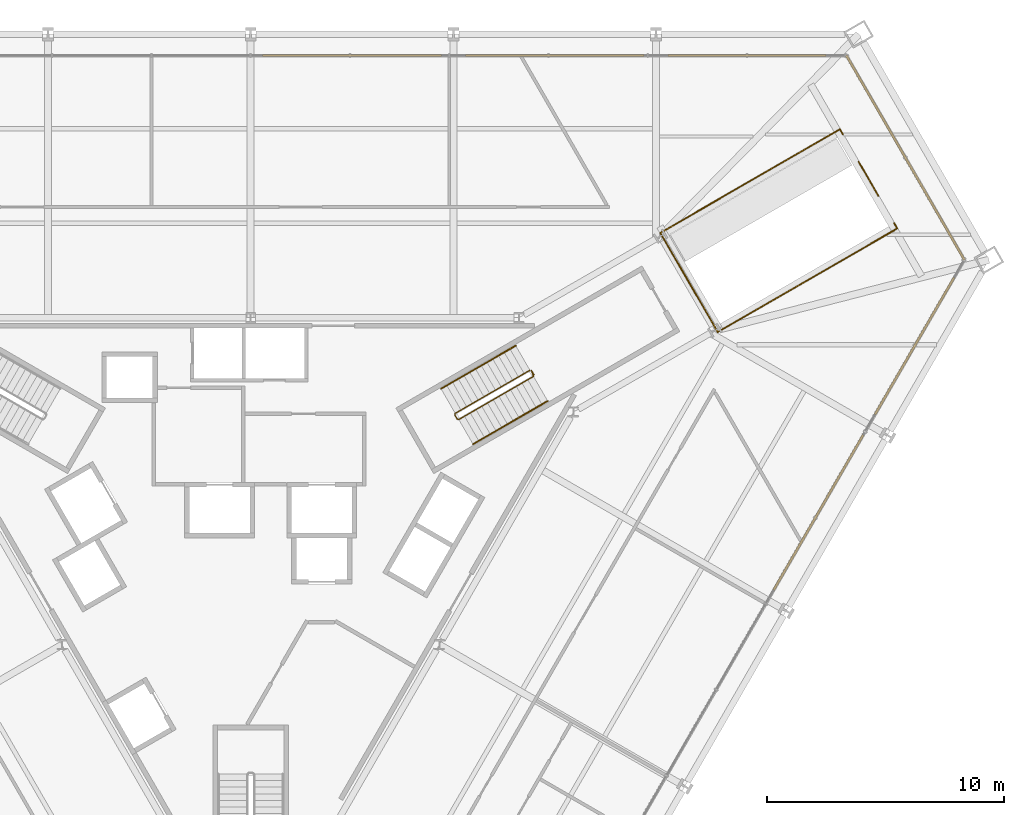
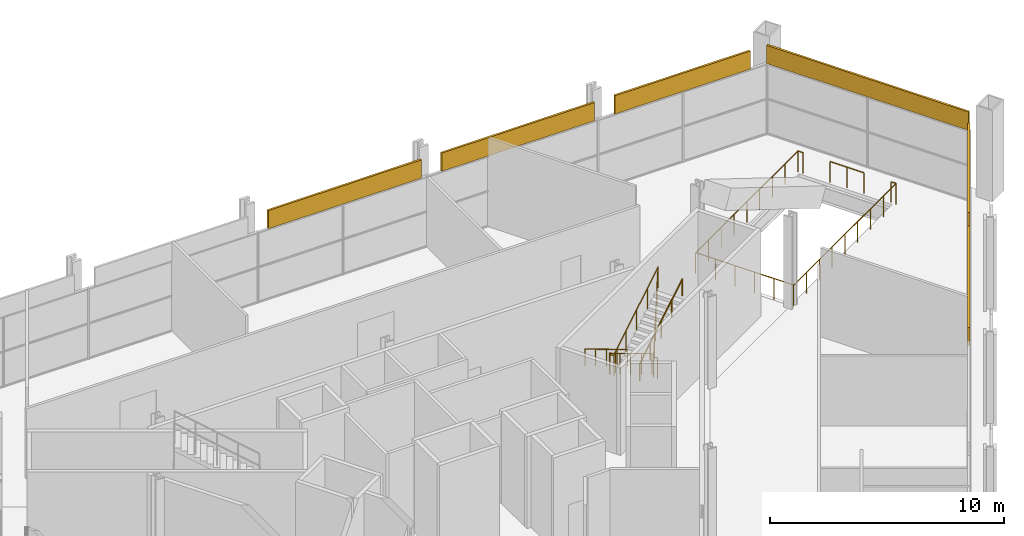
# One storey, part 17 of 18: 6 coverings, 6 railings.
"""IFC4 building model written with IfcOpenShell, lengths in metres."""

from ifc_helpers import new_model, si_unit, direction, frame, origin, origin_2d, place, context, subcontext, project, spatial, rectangle, circle, extrude, material, layer, layer_set, type_object, element, save


model = new_model("IFC4")

# Units and contexts
model_context = context("Model", 3, precision=1e-05, world=origin(), true_north=direction((0.0, 1.0)))
body_context = subcontext(model_context, "Body", "Model", "MODEL_VIEW")
ifc_project = project(units=[si_unit("LENGTHUNIT", "METRE"), si_unit("AREAUNIT", "SQUARE_METRE"), si_unit("VOLUMEUNIT", "CUBIC_METRE"), si_unit("PLANEANGLEUNIT", "RADIAN"), si_unit("MASSUNIT", "GRAM", prefix="KILO")], contexts=[model_context])

# Site, building, storey
site_placement = place(None, origin())
site = spatial("IfcSite", under=ifc_project, at=site_placement, CompositionType="ELEMENT")
building_placement = place(site_placement, origin())
building = spatial("IfcBuilding", under=site, at=building_placement, Name="Verrane Prism Tower", CompositionType="ELEMENT")
storey_placement = place(building_placement, frame((0.0, 0.0, 27.199951171875)))
storey = spatial("IfcBuildingStorey", under=building, at=storey_placement, Name="L04", CompositionType="ELEMENT", Elevation=27.199951171875)

# Coverings
ifc_material_1 = material(Name="Limestone cladding", Category="masonry")
ifc_layer = layer(ifc_material_1, 0.10009765625)
ifc_layer_set = layer_set([ifc_layer], Name="FA-100 stone fascia panel")
covering_type = type_object("IfcCoveringType", Name="FA-100 stone fascia panel", PredefinedType="CLADDING", material=ifc_layer_set)
covering_1_placement = place(storey_placement, frame((27.63818359375, 15.956787109375, 3.68994140625), z_axis=(0.0, 0.0, 1.0), x_axis=(-0.499999190728, 0.866025871017, 0.0)))
element("IfcCovering", 1, at=covering_1_placement, inside=storey, type_object=covering_type, Name="Stone fascia L04 1.1", PredefinedType="CLADDING", context=body_context, shape_type="SweptSolid", body=[
    extrude(rectangle(XDim=9.960693359375, YDim=0.10009765625, at=origin_2d()), origin(), (0.0, 0.0, 1.0), 0.949951171875),
])
covering_2_placement = place(storey_placement, frame((20.948486328125, 20.27001953125, 3.68994140625), z_axis=(0.0, 0.0, 1.0), x_axis=(-1.0, 0.0, 0.0)))
element("IfcCovering", 2, at=covering_2_placement, inside=storey, type_object=covering_type, Name="Stone fascia L04 2.1", PredefinedType="CLADDING", context=body_context, shape_type="SweptSolid", body=[
    extrude(rectangle(XDim=6.6767578125, YDim=0.10009765625, at=origin_2d()), origin(), (0.0, 0.0, 1.0), 0.949951171875),
])
covering_3_placement = place(storey_placement, frame((12.8349609375, 20.27001953125, 3.68994140625), z_axis=(0.0, 0.0, 1.0), x_axis=(-1.0, 0.0, 0.0)))
element("IfcCovering", 3, at=covering_3_placement, inside=storey, type_object=covering_type, Name="Stone fascia L04 2.2", PredefinedType="CLADDING", context=body_context, shape_type="SweptSolid", body=[
    extrude(rectangle(XDim=7.550048828125, YDim=0.10009765625, at=origin_2d()), origin(), (0.0, 0.0, 1.0), 0.949951171875),
])
covering_4_placement = place(storey_placement, frame((4.280029296875, 20.27001953125, 3.68994140625), z_axis=(0.0, 0.0, 1.0), x_axis=(-1.0, 0.0, 0.0)))
element("IfcCovering", 4, at=covering_4_placement, inside=storey, type_object=covering_type, Name="Stone fascia L04 2.3", PredefinedType="CLADDING", context=body_context, shape_type="SweptSolid", body=[
    extrude(rectangle(XDim=7.56005859375, YDim=0.10009765625, at=origin_2d()), origin(), (0.0, 0.0, 1.0), 0.949951171875),
])
covering_5_placement = place(storey_placement, frame((23.96923828125, 0.975830078125, 3.68994140625), z_axis=(0.0, 0.0, 1.0), x_axis=(0.500000118955, 0.866025335106, 0.0)))
element("IfcCovering", 5, at=covering_5_placement, inside=storey, type_object=covering_type, Name="Stone fascia L04 6.5", PredefinedType="CLADDING", context=body_context, shape_type="SweptSolid", body=[
    extrude(rectangle(XDim=7.557373046875, YDim=0.10009765625, at=origin_2d()), origin(), (0.0, 0.0, 1.0), 0.949951171875),
])
covering_6_placement = place(storey_placement, frame((28.026123046875, 8.002685546875, 3.68994140625), z_axis=(0.0, 0.0, 1.0), x_axis=(0.500000118955, 0.866025335106, 0.0)))
element("IfcCovering", 6, at=covering_6_placement, inside=storey, type_object=covering_type, Name="Stone fascia L04 6.6", PredefinedType="CLADDING", context=body_context, shape_type="SweptSolid", body=[
    extrude(rectangle(XDim=6.670654296875, YDim=0.10009765625, at=origin_2d()), origin(), (0.0, 0.0, 1.0), 0.949951171875),
])

# Railings
ifc_material_2 = material(Name="Stainless steel and laminated glass", Category="steel")
railing_type_1 = type_object("IfcRailingType", Name="GR-1100 glass and steel guard", PredefinedType="GUARDRAIL", material=ifc_material_2)
railing_1_placement = place(storey_placement, frame((19.717041015625, 8.589111328125, 0.0)))
element("IfcRailing", 7, at=railing_1_placement, inside=storey, type_object=railing_type_1, Name="Guard EW1 L04 1", PredefinedType="GUARDRAIL", context=body_context, shape_type="SweptSolid", body=[
    extrude(circle(Radius=0.02392578125, at=origin_2d()), frame((0.0, 0.0, 1.076171875), z_axis=(0.866022959057, 0.500004234368, 0.0), x_axis=(-0.500004234368, 0.866022959057, 0.0)), (0.0, 0.0, 1.0), 8.75),
    extrude(circle(Radius=0.02392578125, at=origin_2d()), frame((7.57763671875, 4.375, 1.076171875), z_axis=(-0.499919672301, 0.866071776036, 0.0), x_axis=(-0.866071776036, -0.499919672301, 0.0)), (0.0, 0.0, 1.0), 0.25),
    extrude(circle(Radius=0.02099609375, at=origin_2d()), origin(), (0.0, 0.0, 1.0), 1.052001953125),
    extrude(circle(Radius=0.02099609375, at=origin_2d()), frame((0.947265625, 0.546875, 0.0)), (0.0, 0.0, 1.0), 1.052001953125),
    extrude(circle(Radius=0.02099609375, at=origin_2d()), frame((1.89453125, 1.09375, 0.0)), (0.0, 0.0, 1.0), 1.052001953125),
    extrude(circle(Radius=0.02099609375, at=origin_2d()), frame((2.841552734375, 1.640625, 0.0)), (0.0, 0.0, 1.0), 1.052001953125),
    extrude(circle(Radius=0.02099609375, at=origin_2d()), frame((3.788818359375, 2.1875, 0.0)), (0.0, 0.0, 1.0), 1.052001953125),
    extrude(circle(Radius=0.02099609375, at=origin_2d()), frame((4.736083984375, 2.734375, 0.0)), (0.0, 0.0, 1.0), 1.052001953125),
    extrude(circle(Radius=0.02099609375, at=origin_2d()), frame((5.68310546875, 3.28125, 0.0)), (0.0, 0.0, 1.0), 1.052001953125),
    extrude(circle(Radius=0.02099609375, at=origin_2d()), frame((6.63037109375, 3.828125, 0.0)), (0.0, 0.0, 1.0), 1.052001953125),
    extrude(circle(Radius=0.02099609375, at=origin_2d()), frame((7.57763671875, 4.375, 0.0)), (0.0, 0.0, 1.0), 1.052001953125),
    extrude(circle(Radius=0.02099609375, at=origin_2d()), frame((7.45263671875, 4.591552734375, 0.0)), (0.0, 0.0, 1.0), 1.052001953125),
])
railing_2_placement = place(storey_placement, frame((26.499755859375, 14.34130859375, 0.0)))
element("IfcRailing", 8, at=railing_2_placement, inside=storey, type_object=railing_type_1, Name="Guard EW1 L04 2", PredefinedType="GUARDRAIL", context=body_context, shape_type="SweptSolid", body=[
    extrude(circle(Radius=0.02392578125, at=origin_2d()), frame((0.0, 0.0, 1.076171875), z_axis=(-0.500061949227, 0.865989634427, 0.0), x_axis=(-0.865989634427, -0.500061949227, 0.0)), (0.0, 0.0, 1.0), 1.659912109375),
    extrude(circle(Radius=0.02099609375, at=origin_2d()), origin(), (0.0, 0.0, 1.0), 1.052001953125),
    extrude(circle(Radius=0.02099609375, at=origin_2d()), frame((-0.4150390625, 0.71875, 0.0)), (0.0, 0.0, 1.0), 1.052001953125),
    extrude(circle(Radius=0.02099609375, at=origin_2d()), frame((-0.830078125, 1.4375, 0.0)), (0.0, 0.0, 1.0), 1.052001953125),
])
railing_3_placement = place(storey_placement, frame((24.999755859375, 16.939208984375, 0.0)))
element("IfcRailing", 9, at=railing_3_placement, inside=storey, type_object=railing_type_1, Name="Guard EW1 L04 3", PredefinedType="GUARDRAIL", context=body_context, shape_type="SweptSolid", body=[
    extrude(circle(Radius=0.02392578125, at=origin_2d()), frame((0.0, 0.0, 1.076171875), z_axis=(-0.499919672301, 0.866071776036, 0.0), x_axis=(-0.866071776036, -0.499919672301, 0.0)), (0.0, 0.0, 1.0), 0.25),
    extrude(circle(Radius=0.02392578125, at=origin_2d()), frame((-0.125, 0.216552734375, 1.076171875), z_axis=(-0.866029934428, -0.499992152613, 0.0), x_axis=(0.499992152613, -0.866029934428, 0.0)), (0.0, 0.0, 1.0), 8.750244140625),
    extrude(circle(Radius=0.02392578125, at=origin_2d()), frame((-7.702880859375, -4.158447265625, 1.076171875), z_axis=(0.50001790234, -0.866015067617, 0.0), x_axis=(0.866015067617, 0.50001790234, 0.0)), (0.0, 0.0, 1.0), 4.840087890625),
    extrude(circle(Radius=0.02099609375, at=origin_2d()), origin(), (0.0, 0.0, 1.0), 1.052001953125),
    extrude(circle(Radius=0.02099609375, at=origin_2d()), frame((-0.125, 0.216552734375, 0.0)), (0.0, 0.0, 1.0), 1.052001953125),
    extrude(circle(Radius=0.02099609375, at=origin_2d()), frame((-1.072265625, -0.330322265625, 0.0)), (0.0, 0.0, 1.0), 1.052001953125),
    extrude(circle(Radius=0.02099609375, at=origin_2d()), frame((-2.01953125, -0.877197265625, 0.0)), (0.0, 0.0, 1.0), 1.052001953125),
    extrude(circle(Radius=0.02099609375, at=origin_2d()), frame((-2.966796875, -1.424072265625, 0.0)), (0.0, 0.0, 1.0), 1.052001953125),
    extrude(circle(Radius=0.02099609375, at=origin_2d()), frame((-3.9140625, -1.970947265625, 0.0)), (0.0, 0.0, 1.0), 1.052001953125),
    extrude(circle(Radius=0.02099609375, at=origin_2d()), frame((-4.861083984375, -2.517822265625, 0.0)), (0.0, 0.0, 1.0), 1.052001953125),
    extrude(circle(Radius=0.02099609375, at=origin_2d()), frame((-5.808349609375, -3.064697265625, 0.0)), (0.0, 0.0, 1.0), 1.052001953125),
    extrude(circle(Radius=0.02099609375, at=origin_2d()), frame((-6.755615234375, -3.611572265625, 0.0)), (0.0, 0.0, 1.0), 1.052001953125),
    extrude(circle(Radius=0.02099609375, at=origin_2d()), frame((-7.702880859375, -4.158447265625, 0.0)), (0.0, 0.0, 1.0), 1.052001953125),
    extrude(circle(Radius=0.02099609375, at=origin_2d()), frame((-7.21875, -4.996826171875, 0.0)), (0.0, 0.0, 1.0), 1.052001953125),
    extrude(circle(Radius=0.02099609375, at=origin_2d()), frame((-6.73486328125, -5.835205078125, 0.0)), (0.0, 0.0, 1.0), 1.052001953125),
    extrude(circle(Radius=0.02099609375, at=origin_2d()), frame((-6.250732421875, -6.67333984375, 0.0)), (0.0, 0.0, 1.0), 1.052001953125),
    extrude(circle(Radius=0.02099609375, at=origin_2d()), frame((-5.766845703125, -7.51171875, 0.0)), (0.0, 0.0, 1.0), 1.052001953125),
    extrude(circle(Radius=0.02099609375, at=origin_2d()), frame((-5.28271484375, -8.35009765625, 0.0)), (0.0, 0.0, 1.0), 1.052001953125),
])
ifc_material_3 = material(Name="Steel A36 rail and posts, no infill", Category="steel")
railing_type_2 = type_object("IfcRailingType", Name="Stair guard 1100 steel rail and posts", PredefinedType="GUARDRAIL", material=ifc_material_3)
railing_4_placement = place(storey_placement, frame((11.78955078125, 6.97998046875, 0.17138671875)))
element("IfcRailing", 10, at=railing_4_placement, inside=storey, type_object=railing_type_2, Name="Stair 1 guard", PredefinedType="GUARDRAIL", context=body_context, shape_type="SweptSolid", body=[
    extrude(circle(Radius=0.02392578125, at=origin_2d()), frame((0.0, 0.0, 1.076171875), z_axis=(-0.738570033827, -0.426428098062, 0.522181369177), x_axis=(0.500012742938, -0.866018046521, 0.0)), (0.0, 0.0, 1.0), 4.26806640625),
    extrude(circle(Radius=0.02392578125, at=origin_2d()), frame((-3.15234375, -1.820068359375, 3.3046875), z_axis=(-0.258736085224, -0.965948051503, 0.0), x_axis=(0.965948051503, -0.258736085224, 0.0)), (0.0, 0.0, 1.0), 0.07080078125),
    extrude(circle(Radius=0.02392578125, at=origin_2d()), frame((-3.170654296875, -1.888427734375, 3.3046875), z_axis=(0.500603037456, -0.865676959893, 0.0), x_axis=(0.865676959893, 0.500603037456, 0.0)), (0.0, 0.0, 1.0), 0.199951171875),
    extrude(circle(Radius=0.02392578125, at=origin_2d()), frame((-3.070556640625, -2.0615234375, 3.3046875), z_axis=(0.36752864856, -0.098798023806, 0.924749502828), x_axis=(0.259601060869, 0.965715946433, 0.0)), (0.0, 0.0, 1.0), 0.185302734375),
    extrude(circle(Radius=0.02392578125, at=origin_2d()), frame((-3.00244140625, -2.079833984375, 3.47607421875), z_axis=(0.738592093898, 0.426440834883, 0.522139764025), x_axis=(-0.500012742938, 0.866018046521, 0.0)), (0.0, 0.0, 1.0), 4.26806640625),
    extrude(circle(Radius=0.02392578125, at=origin_2d()), frame((0.14990234375, -0.259765625, 5.70458984375), z_axis=(-0.016964052142, 0.050231878949, -0.998593500516), x_axis=(-0.947430582667, -0.3199613899, 0.0)), (0.0, 0.0, 1.0), 4.806884765625),
    extrude(circle(Radius=0.02392578125, at=origin_2d()), frame((0.068359375, -0.018310546875, 0.90478515625), z_axis=(0.499158860599, -0.866510491504, 0.0), x_axis=(0.866510491504, 0.499158860599, 0.0)), (0.0, 0.0, 1.0), 0.199951171875),
    extrude(circle(Radius=0.02099609375, at=origin_2d()), origin(), (0.0, 0.0, 1.0), 1.052001953125),
    extrude(circle(Radius=0.02099609375, at=origin_2d()), frame((-0.7880859375, -0.455078125, 0.55712890625)), (0.0, 0.0, 1.0), 1.052001953125),
    extrude(circle(Radius=0.02099609375, at=origin_2d()), frame((-1.576171875, -0.91015625, 1.1142578125)), (0.0, 0.0, 1.0), 1.052001953125),
    extrude(circle(Radius=0.02099609375, at=origin_2d()), frame((-2.3642578125, -1.364990234375, 1.671630859375)), (0.0, 0.0, 1.0), 1.052001953125),
    extrude(circle(Radius=0.02099609375, at=origin_2d()), frame((-3.15234375, -1.820068359375, 2.228759765625)), (0.0, 0.0, 1.0), 1.052001953125),
    extrude(circle(Radius=0.02099609375, at=origin_2d()), frame((-3.170654296875, -1.888427734375, 2.228759765625)), (0.0, 0.0, 1.0), 1.052001953125),
    extrude(circle(Radius=0.02099609375, at=origin_2d()), frame((-3.070556640625, -2.0615234375, 2.228759765625)), (0.0, 0.0, 1.0), 1.052001953125),
    extrude(circle(Radius=0.02099609375, at=origin_2d()), frame((-3.00244140625, -2.079833984375, 2.400146484375)), (0.0, 0.0, 1.0), 1.052001953125),
    extrude(circle(Radius=0.02099609375, at=origin_2d()), frame((-2.21435546875, -1.624755859375, 2.957275390625)), (0.0, 0.0, 1.0), 1.052001953125),
    extrude(circle(Radius=0.02099609375, at=origin_2d()), frame((-1.42626953125, -1.169921875, 3.514404296875)), (0.0, 0.0, 1.0), 1.052001953125),
    extrude(circle(Radius=0.02099609375, at=origin_2d()), frame((-0.63818359375, -0.71484375, 4.071533203125)), (0.0, 0.0, 1.0), 1.052001953125),
    extrude(circle(Radius=0.02099609375, at=origin_2d()), frame((0.14990234375, -0.259765625, 4.628662109375)), (0.0, 0.0, 1.0), 1.052001953125),
    extrude(circle(Radius=0.02099609375, at=origin_2d()), frame((0.133544921875, -0.21142578125, 3.668701171875)), (0.0, 0.0, 1.0), 1.052001953125),
    extrude(circle(Radius=0.02099609375, at=origin_2d()), frame((0.1171875, -0.1630859375, 2.708740234375)), (0.0, 0.0, 1.0), 1.052001953125),
    extrude(circle(Radius=0.02099609375, at=origin_2d()), frame((0.10107421875, -0.114990234375, 1.74853515625)), (0.0, 0.0, 1.0), 1.052001953125),
    extrude(circle(Radius=0.02099609375, at=origin_2d()), frame((0.084716796875, -0.066650390625, 0.78857421875)), (0.0, 0.0, 1.0), 1.052001953125),
    extrude(circle(Radius=0.02099609375, at=origin_2d()), frame((0.068359375, -0.018310546875, -0.17138671875)), (0.0, 0.0, 1.0), 1.052001953125),
    extrude(circle(Radius=0.02099609375, at=origin_2d()), frame((0.168212890625, -0.191650390625, -0.17138671875)), (0.0, 0.0, 1.0), 1.052001953125),
])
ifc_material_4 = material(Name="Steel A36 tube", Category="steel")
railing_type_3 = type_object("IfcRailingType", Name="Stair handrail 900 steel tube", PredefinedType="HANDRAIL", material=ifc_material_4)
railing_5_placement = place(storey_placement, frame((11.189453125, 8.01904296875, 0.17138671875)))
element("IfcRailing", 11, at=railing_5_placement, inside=storey, type_object=railing_type_3, Name="Stair 1 handrail", PredefinedType="HANDRAIL", context=body_context, shape_type="SweptSolid", body=[
    extrude(circle(Radius=0.02392578125, at=origin_2d()), frame((0.0, 0.0, 0.8759765625), z_axis=(-0.738588048336, -0.426381297421, 0.522194105736), x_axis=(0.499962438169, -0.866047089031, 0.0)), (0.0, 0.0, 1.0), 4.26806640625),
    extrude(circle(Radius=0.02099609375, at=origin_2d()), origin(), (0.0, 0.0, 1.0), 0.851806640625),
    extrude(circle(Radius=0.02099609375, at=origin_2d()), frame((-0.7880859375, -0.455078125, 0.55712890625)), (0.0, 0.0, 1.0), 0.851806640625),
    extrude(circle(Radius=0.02099609375, at=origin_2d()), frame((-1.576171875, -0.909912109375, 1.1142578125)), (0.0, 0.0, 1.0), 0.851806640625),
    extrude(circle(Radius=0.02099609375, at=origin_2d()), frame((-2.3642578125, -1.36474609375, 1.671630859375)), (0.0, 0.0, 1.0), 0.851806640625),
    extrude(circle(Radius=0.02099609375, at=origin_2d()), frame((-3.15234375, -1.81982421875, 2.228759765625)), (0.0, 0.0, 1.0), 0.851806640625),
])
railing_6_placement = place(storey_placement, frame((9.38720703125, 3.86083984375, 2.571533203125)))
element("IfcRailing", 12, at=railing_6_placement, inside=storey, type_object=railing_type_3, Name="Stair 1 handrail", PredefinedType="HANDRAIL", context=body_context, shape_type="SweptSolid", body=[
    extrude(circle(Radius=0.02392578125, at=origin_2d()), frame((0.0, 0.0, 0.8759765625), z_axis=(0.738592093898, 0.426440834883, 0.522139764025), x_axis=(-0.500012742938, 0.866018046521, 0.0)), (0.0, 0.0, 1.0), 4.26806640625),
    extrude(circle(Radius=0.02099609375, at=origin_2d()), origin(), (0.0, 0.0, 1.0), 0.851806640625),
    extrude(circle(Radius=0.02099609375, at=origin_2d()), frame((0.7880859375, 0.455078125, 0.55712890625)), (0.0, 0.0, 1.0), 0.851806640625),
    extrude(circle(Radius=0.02099609375, at=origin_2d()), frame((1.576171875, 0.91015625, 1.1142578125)), (0.0, 0.0, 1.0), 0.851806640625),
    extrude(circle(Radius=0.02099609375, at=origin_2d()), frame((2.3642578125, 1.364990234375, 1.67138671875)), (0.0, 0.0, 1.0), 0.851806640625),
    extrude(circle(Radius=0.02099609375, at=origin_2d()), frame((3.15234375, 1.820068359375, 2.228515625)), (0.0, 0.0, 1.0), 0.851806640625),
])

save(model, "model.ifc")
